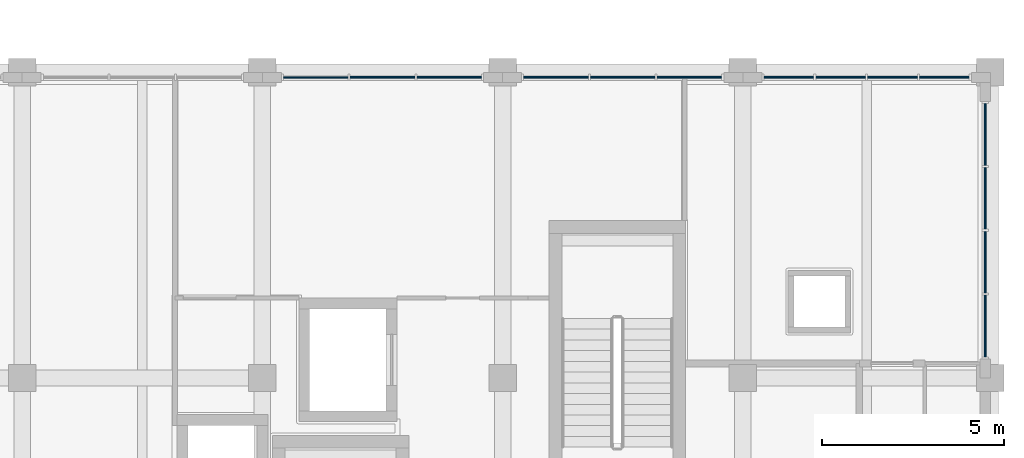
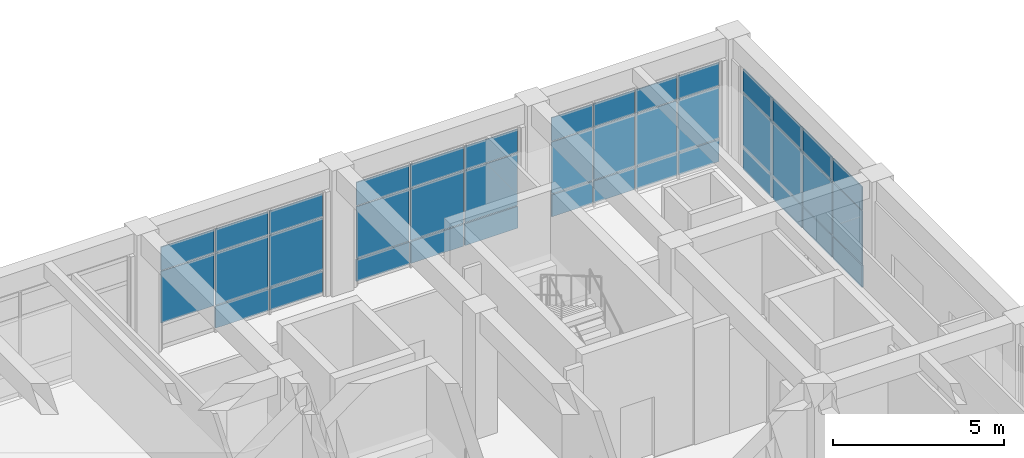
# One storey, part 25 of 50: 41 plates, 4 elements without a shape of their own.
"""IFC4 building model written with IfcOpenShell, lengths in metres."""

import ifcopenshell
import ifcopenshell.guid

model = None  # the IFC model being written
_history = None  # IfcOwnerHistory: only IFC2X3 demands one
_inside = {}  # id of a spatial element -> (the spatial element, [elements in it])
_under = {}  # id of a project, library or spatial element -> (it, [spatial elements below it])
_declared = {}  # id of a project -> (the project, [libraries it declares])
_typed = {}  # id of a type object -> (the type object, [elements of that type])
_made_of = {}  # id of a material, layer set ... -> (it, [elements and type objects made of it])


def new_model(schema):
    """Start an empty IFC model of exactly this schema.

    Asked for "IFC4X3", IfcOpenShell would pick the latest addendum, in which some entities
    have other attributes; the version numbers below select the first issue.
    IFC2X3 requires an IfcOwnerHistory on every rooted entity: one is made here for all.
    """
    global model, _history
    if schema == "IFC4X3":
        model = ifcopenshell.file(schema_version=(4, 3, 0, 0))
    else:
        model = ifcopenshell.file(schema=schema)
    _inside.clear()
    _under.clear()
    _declared.clear()
    _typed.clear()
    _made_of.clear()
    _history = None
    if model.schema == "IFC2X3":
        org = make("IfcOrganization", Name="unknown")
        user = make(
            "IfcPersonAndOrganization",
            ThePerson=make("IfcPerson", FamilyName="unknown"),
            TheOrganization=org,
        )
        app = make(
            "IfcApplication",
            ApplicationDeveloper=org,
            Version="unknown",
            ApplicationFullName="unknown",
            ApplicationIdentifier="unknown",
        )
        _history = make(
            "IfcOwnerHistory",
            OwningUser=user,
            OwningApplication=app,
            ChangeAction="ADDED",
            CreationDate=0,
        )
    return model


def make(cls, **values):
    """One entity of the class cls with the attributes given. An attribute that is None is left unset."""
    return model.create_entity(
        cls, **{name: value for name, value in values.items() if value is not None}
    )


def rooted(cls, **values):
    """An entity with a GlobalId (a new one), such as an element, a storey or a relation."""
    return make(cls, GlobalId=ifcopenshell.guid.new(), OwnerHistory=_history, **values)


def si_unit(unit_type, name, prefix=None):
    """IfcSIUnit, for example si_unit("LENGTHUNIT", "METRE", prefix="MILLI")."""
    return make("IfcSIUnit", UnitType=unit_type, Prefix=prefix, Name=name)


def assignment(units):
    """IfcUnitAssignment: the units of a project."""
    return None if units is None else make("IfcUnitAssignment", Units=units)


def point(xyz):
    """IfcCartesianPoint."""
    return None if xyz is None else make("IfcCartesianPoint", Coordinates=xyz)


def direction(xyz):
    """IfcDirection."""
    return None if xyz is None else make("IfcDirection", DirectionRatios=xyz)


def frame(location, z_axis=None, x_axis=None):
    """IfcAxis2Placement3D, a coordinate frame: its origin and axes. An axis left out is left unset."""
    return make(
        "IfcAxis2Placement3D",
        Location=point(location),
        Axis=direction(z_axis),
        RefDirection=direction(x_axis),
    )


def frame_2d(location, x_axis=None):
    """IfcAxis2Placement2D, a coordinate frame in the plane: its origin and x axis."""
    return make(
        "IfcAxis2Placement2D", Location=point(location), RefDirection=direction(x_axis)
    )


def origin():
    """The frame at (0, 0, 0) with its axes left unset."""
    return frame((0.0, 0.0, 0.0))


def origin_2d():
    """The frame at (0, 0) in the plane with its x axis left unset."""
    return frame_2d((0.0, 0.0))


def place(relative_to, where):
    """IfcLocalPlacement: puts the frame where relative to a parent placement (None: the world)."""
    return make(
        "IfcLocalPlacement", PlacementRelTo=relative_to, RelativePlacement=where
    )


def context(
    kind, dimensions, precision=None, world=None, true_north=None, identifier=None
):
    """IfcGeometricRepresentationContext, for example the 3D "Model" context."""
    return make(
        "IfcGeometricRepresentationContext",
        ContextIdentifier=identifier,
        ContextType=kind,
        CoordinateSpaceDimension=dimensions,
        Precision=precision,
        WorldCoordinateSystem=world,
        TrueNorth=true_north,
    )


def subcontext(parent, identifier, kind, view, scale=None):
    """IfcGeometricRepresentationSubContext, for example "Body" below "Model"."""
    return make(
        "IfcGeometricRepresentationSubContext",
        ContextIdentifier=identifier,
        ContextType=kind,
        ParentContext=parent,
        TargetScale=scale,
        TargetView=view,
    )


def project(units=None, contexts=None):
    """IfcProject with its units and contexts."""
    return rooted(
        "IfcProject",
        Name="project",
        RepresentationContexts=contexts,
        UnitsInContext=assignment(units),
    )


def spatial(cls, under=None, at=None, **own):
    """A site, building, storey or space (cls), placed at a placement, below another one or the project."""
    s = rooted(cls, ObjectPlacement=at, **own)
    if under is not None:
        _under.setdefault(under.id(), (under, []))[1].append(s)
    return s


def profile(cls, at=None, kind="AREA", **sizes):
    """A parametric profile (cls). Its sizes go by their IFC names, for example OverallWidth=200.0."""
    return make(cls, ProfileType=kind, Position=at, **sizes)


def rectangle(**sizes):
    """IfcRectangleProfileDef."""
    return profile("IfcRectangleProfileDef", **sizes)


def extrude(swept, where, along, depth):
    """IfcExtrudedAreaSolid: the profile swept, set in the frame where, extruded along a direction by depth."""
    return make(
        "IfcExtrudedAreaSolid",
        SweptArea=swept,
        Position=where,
        ExtrudedDirection=direction(along),
        Depth=depth,
    )


def shape(context_of_items, identifier, shape_type, items):
    """IfcShapeRepresentation: the items that make up one representation, for example the "Body"."""
    return make(
        "IfcShapeRepresentation",
        ContextOfItems=context_of_items,
        RepresentationIdentifier=identifier,
        RepresentationType=shape_type,
        Items=items,
    )


def material(Name=None, Category=None):
    """IfcMaterial."""
    return make("IfcMaterial", Name=Name, Category=Category)


def layer(
    of_material, thickness, ventilated=None, Name=None, Category=None, Priority=None
):
    """IfcMaterialLayer: one layer of a wall or slab, of a material (None: an air gap)."""
    return make(
        "IfcMaterialLayer",
        Material=of_material,
        LayerThickness=thickness,
        IsVentilated=ventilated,
        Name=Name,
        Category=Category,
        Priority=Priority,
    )


def layer_set(layers, Name=None):
    """IfcMaterialLayerSet."""
    return make("IfcMaterialLayerSet", MaterialLayers=layers, LayerSetName=Name)


def made_of(thing, what):
    """Note that an element or type object is made of a material, layer set ...; save() writes the relation."""
    if what is not None:
        _made_of.setdefault(what.id(), (what, []))[1].append(thing)
    return thing


def type_object(cls, material=None, **own):
    """A type object (cls), such as IfcWallType, which elements share."""
    return made_of(rooted(cls, **own), material)


def element(
    cls,
    number,
    at=None,
    inside=None,
    cuts=None,
    type_object=None,
    material=None,
    context=None,
    identifier="Body",
    shape_type=None,
    held_by="IfcProductDefinitionShape",
    body=None,
    shapes=None,
    **own,
):
    """One element of the class cls, such as IfcWall. Its Tag is "e" and its number.

    at: its placement. inside: the storey or other place that contains it. cuts: it is an
    opening in that element (IfcRelVoidsElement). A single representation is given by context,
    identifier, shape_type and body (its items); several are given by shapes. held_by: the class
    of the entity that holds the representations. save() writes the other relations.
    """
    e = rooted(cls, Tag="e%d" % number, ObjectPlacement=at, **own)
    if body is not None:
        shapes = [shape(context, identifier, shape_type, body)]
    if shapes is not None:
        e.Representation = make(held_by, Representations=shapes)
    if inside is not None:
        _inside.setdefault(inside.id(), (inside, []))[1].append(e)
    if cuts is not None:
        rooted(
            "IfcRelVoidsElement", RelatingBuildingElement=cuts, RelatedOpeningElement=e
        )
    if type_object is not None:
        _typed.setdefault(type_object.id(), (type_object, []))[1].append(e)
    return made_of(e, material)


def aggregate(whole, parts):
    """IfcRelAggregates: a whole, such as a stair, and the parts it consists of."""
    return rooted("IfcRelAggregates", RelatingObject=whole, RelatedObjects=parts)


def save(model, path):
    """Write the relations noted so far, then the file.

    IfcRelAggregates (storeys below a building ...), IfcRelContainedInSpatialStructure (elements
    in a storey), IfcRelDefinesByType, IfcRelAssociatesMaterial and IfcRelDeclares: one each for
    every whole, place, type object, material and project.
    """
    for whole, parts in _under.values():
        aggregate(whole, parts)
    for where, things in _inside.values():
        rooted(
            "IfcRelContainedInSpatialStructure",
            RelatedElements=things,
            RelatingStructure=where,
        )
    for kind, things in _typed.values():
        rooted("IfcRelDefinesByType", RelatedObjects=things, RelatingType=kind)
    for what, things in _made_of.values():
        rooted("IfcRelAssociatesMaterial", RelatedObjects=things, RelatingMaterial=what)
    for by, libraries in _declared.values():
        rooted("IfcRelDeclares", RelatingContext=by, RelatedDefinitions=libraries)
    model.write(path)


model = new_model("IFC4")

# Units and contexts
model_context = context("Model", 3, precision=1e-05, world=origin(), true_north=direction((0.0, 1.0)))
body_context = subcontext(model_context, "Body", "Model", "MODEL_VIEW")
ifc_project = project(units=[si_unit("LENGTHUNIT", "METRE"), si_unit("AREAUNIT", "SQUARE_METRE"), si_unit("VOLUMEUNIT", "CUBIC_METRE"), si_unit("PLANEANGLEUNIT", "RADIAN"), si_unit("MASSUNIT", "GRAM", prefix="KILO")], contexts=[model_context])

# Site, building, storey
site_placement = place(None, origin())
site = spatial("IfcSite", under=ifc_project, at=site_placement, CompositionType="ELEMENT")
building_placement = place(site_placement, origin())
building = spatial("IfcBuilding", under=site, at=building_placement, Name="Kolvaren Faculty of Natural Sciences", CompositionType="ELEMENT")
storey_placement = place(building_placement, frame((0.0, 0.0, 15.0)))
storey = spatial("IfcBuildingStorey", under=building, at=storey_placement, Name="L03", CompositionType="ELEMENT", Elevation=15.0)

# Curtain wall, plates
ifc_material_1 = material(Name="Thermally broken anodised aluminium framing", Category="aluminium")
ifc_layer_1 = layer(ifc_material_1, 0.179931640625)
ifc_layer_set_1 = layer_set([ifc_layer_1], Name="Thermally broken anodised aluminium framing")
curtain_wall_type = type_object("IfcCurtainWallType", Name="TowerNorthCurtainWall_CW03", PredefinedType="NOTDEFINED", material=ifc_layer_set_1)
curtain_wall_1_placement = place(storey_placement, origin())
curtain_wall_1 = element("IfcCurtainWall", 1, at=curtain_wall_1_placement, inside=storey, type_object=curtain_wall_type, Name="L03 unitised curtain wall CW-03 (CW-L03-144)", PredefinedType="NOTDEFINED")
ifc_material_2 = material(Name="Double low-E solar control insulated glazing", Category="glass")
ifc_layer_2 = layer(ifc_material_2, 0.035888671875)
ifc_layer_set_2 = layer_set([ifc_layer_2], Name="Double low-E solar control insulated glazing")
plate_type_1 = type_object("IfcPlateType", Name="EnvelopePlate_CWPGL1", PredefinedType="CURTAIN_PANEL", material=ifc_layer_set_2)
plate_1_placement = place(storey_placement, frame((153.466796875, 84.06005859375, 0.919921875), z_axis=(0.0, 0.0, 1.0), x_axis=(1.0, 0.0, 0.0)))
plate_1 = element("IfcPlate", 2, at=plate_1_placement, type_object=plate_type_1, Name="CW-L03-144 panel 1 V1", PredefinedType="CURTAIN_PANEL", context=body_context, shape_type="SweptSolid", body=[
    extrude(rectangle(XDim=1.783203125, YDim=0.035888671875, at=origin_2d()), origin(), (0.0, 0.0, 1.0), 1.844970703125),
])
plate_2_placement = place(storey_placement, frame((155.300048828125, 84.06005859375, 0.919921875), z_axis=(0.0, 0.0, 1.0), x_axis=(1.0, 0.0, 0.0)))
plate_2 = element("IfcPlate", 3, at=plate_2_placement, type_object=plate_type_1, Name="CW-L03-144 panel 2 V1", PredefinedType="CURTAIN_PANEL", context=body_context, shape_type="SweptSolid", body=[
    extrude(rectangle(XDim=1.783203125, YDim=0.035888671875, at=origin_2d()), origin(), (0.0, 0.0, 1.0), 1.844970703125),
])
plate_3_placement = place(storey_placement, frame((157.13330078125, 84.06005859375, 0.919921875), z_axis=(0.0, 0.0, 1.0), x_axis=(1.0, 0.0, 0.0)))
plate_3 = element("IfcPlate", 4, at=plate_3_placement, type_object=plate_type_1, Name="CW-L03-144 panel 3 V1", PredefinedType="CURTAIN_PANEL", context=body_context, shape_type="SweptSolid", body=[
    extrude(rectangle(XDim=1.783203125, YDim=0.035888671875, at=origin_2d()), origin(), (0.0, 0.0, 1.0), 1.844970703125),
])

curtain_wall_2_placement = place(storey_placement, origin())
curtain_wall_2 = element("IfcCurtainWall", 5, at=curtain_wall_2_placement, inside=storey, type_object=curtain_wall_type, Name="L03 unitised curtain wall CW-03 (CW-L03-145)", PredefinedType="NOTDEFINED")
plate_4_placement = place(storey_placement, frame((160.066650390625, 84.06005859375, 0.919921875), z_axis=(0.0, 0.0, 1.0), x_axis=(1.0, 0.0, 0.0)))
plate_4 = element("IfcPlate", 6, at=plate_4_placement, type_object=plate_type_1, Name="CW-L03-145 panel 1 V1", PredefinedType="CURTAIN_PANEL", context=body_context, shape_type="SweptSolid", body=[
    extrude(rectangle(XDim=1.783203125, YDim=0.035888671875, at=origin_2d()), origin(), (0.0, 0.0, 1.0), 1.844970703125),
])
plate_5_placement = place(storey_placement, frame((161.89990234375, 84.06005859375, 0.919921875), z_axis=(0.0, 0.0, 1.0), x_axis=(1.0, 0.0, 0.0)))
plate_5 = element("IfcPlate", 7, at=plate_5_placement, type_object=plate_type_1, Name="CW-L03-145 panel 2 V1", PredefinedType="CURTAIN_PANEL", context=body_context, shape_type="SweptSolid", body=[
    extrude(rectangle(XDim=1.783203125, YDim=0.035888671875, at=origin_2d()), origin(), (0.0, 0.0, 1.0), 1.844970703125),
])
plate_6_placement = place(storey_placement, frame((163.7333984375, 84.06005859375, 0.919921875), z_axis=(0.0, 0.0, 1.0), x_axis=(1.0, 0.0, 0.0)))
plate_6 = element("IfcPlate", 8, at=plate_6_placement, type_object=plate_type_1, Name="CW-L03-145 panel 3 V1", PredefinedType="CURTAIN_PANEL", context=body_context, shape_type="SweptSolid", body=[
    extrude(rectangle(XDim=1.783203125, YDim=0.035888671875, at=origin_2d()), origin(), (0.0, 0.0, 1.0), 1.844970703125),
])

curtain_wall_3_placement = place(storey_placement, origin())
curtain_wall_3 = element("IfcCurtainWall", 9, at=curtain_wall_3_placement, inside=storey, type_object=curtain_wall_type, Name="L03 unitised curtain wall CW-03 (CW-L03-146)", PredefinedType="NOTDEFINED")
plate_7_placement = place(storey_placement, frame((166.46240234375, 84.06005859375, 0.919921875), z_axis=(0.0, 0.0, 1.0), x_axis=(1.0, 0.0, 0.0)))
plate_7 = element("IfcPlate", 10, at=plate_7_placement, type_object=plate_type_1, Name="CW-L03-146 panel 1 V1", PredefinedType="CURTAIN_PANEL", context=body_context, shape_type="SweptSolid", body=[
    extrude(rectangle(XDim=1.375, YDim=0.035888671875, at=origin_2d()), origin(), (0.0, 0.0, 1.0), 1.844970703125),
])
plate_8_placement = place(storey_placement, frame((167.887451171875, 84.06005859375, 0.919921875), z_axis=(0.0, 0.0, 1.0), x_axis=(1.0, 0.0, 0.0)))
plate_8 = element("IfcPlate", 11, at=plate_8_placement, type_object=plate_type_1, Name="CW-L03-146 panel 2 V1", PredefinedType="CURTAIN_PANEL", context=body_context, shape_type="SweptSolid", body=[
    extrude(rectangle(XDim=1.375, YDim=0.035888671875, at=origin_2d()), origin(), (0.0, 0.0, 1.0), 1.844970703125),
])
plate_9_placement = place(storey_placement, frame((169.3125, 84.06005859375, 0.919921875), z_axis=(0.0, 0.0, 1.0), x_axis=(1.0, 0.0, 0.0)))
plate_9 = element("IfcPlate", 12, at=plate_9_placement, type_object=plate_type_1, Name="CW-L03-146 panel 3 V1", PredefinedType="CURTAIN_PANEL", context=body_context, shape_type="SweptSolid", body=[
    extrude(rectangle(XDim=1.375, YDim=0.035888671875, at=origin_2d()), origin(), (0.0, 0.0, 1.0), 1.844970703125),
])
plate_10_placement = place(storey_placement, frame((170.737548828125, 84.06005859375, 0.919921875), z_axis=(0.0, 0.0, 1.0), x_axis=(1.0, 0.0, 0.0)))
plate_10 = element("IfcPlate", 13, at=plate_10_placement, type_object=plate_type_1, Name="CW-L03-146 panel 4 V1", PredefinedType="CURTAIN_PANEL", context=body_context, shape_type="SweptSolid", body=[
    extrude(rectangle(XDim=1.375, YDim=0.035888671875, at=origin_2d()), origin(), (0.0, 0.0, 1.0), 1.844970703125),
])

curtain_wall_4_placement = place(storey_placement, origin())
curtain_wall_4 = element("IfcCurtainWall", 14, at=curtain_wall_4_placement, inside=storey, type_object=curtain_wall_type, Name="L03 unitised curtain wall CW-03 (CW-L03-147)", PredefinedType="NOTDEFINED")
plate_11_placement = place(storey_placement, frame((171.860107421875, 82.492431640625, 0.919921875), z_axis=(0.0, 0.0, 1.0), x_axis=(0.0, -1.0, 0.0)))
plate_11 = element("IfcPlate", 15, at=plate_11_placement, type_object=plate_type_1, Name="CW-L03-147 panel 1 V1", PredefinedType="CURTAIN_PANEL", context=body_context, shape_type="SweptSolid", body=[
    extrude(rectangle(XDim=1.705078125, YDim=0.035888671875, at=origin_2d()), origin(), (0.0, 0.0, 1.0), 1.89501953125),
])
plate_12_placement = place(storey_placement, frame((171.860107421875, 80.737548828125, 0.919921875), z_axis=(0.0, 0.0, 1.0), x_axis=(0.0, -1.0, 0.0)))
plate_12 = element("IfcPlate", 16, at=plate_12_placement, type_object=plate_type_1, Name="CW-L03-147 panel 2 V1", PredefinedType="CURTAIN_PANEL", context=body_context, shape_type="SweptSolid", body=[
    extrude(rectangle(XDim=1.705078125, YDim=0.035888671875, at=origin_2d()), origin(), (0.0, 0.0, 1.0), 1.89501953125),
])
plate_13_placement = place(storey_placement, frame((171.860107421875, 78.982421875, 0.919921875), z_axis=(0.0, 0.0, 1.0), x_axis=(0.0, -1.0, 0.0)))
plate_13 = element("IfcPlate", 17, at=plate_13_placement, type_object=plate_type_1, Name="CW-L03-147 panel 3 V1", PredefinedType="CURTAIN_PANEL", context=body_context, shape_type="SweptSolid", body=[
    extrude(rectangle(XDim=1.705078125, YDim=0.035888671875, at=origin_2d()), origin(), (0.0, 0.0, 1.0), 1.89501953125),
])
plate_14_placement = place(storey_placement, frame((171.860107421875, 77.2275390625, 0.919921875), z_axis=(0.0, 0.0, 1.0), x_axis=(0.0, -1.0, 0.0)))
plate_14 = element("IfcPlate", 18, at=plate_14_placement, type_object=plate_type_1, Name="CW-L03-147 panel 4 V1", PredefinedType="CURTAIN_PANEL", context=body_context, shape_type="SweptSolid", body=[
    extrude(rectangle(XDim=1.705078125, YDim=0.035888671875, at=origin_2d()), origin(), (0.0, 0.0, 1.0), 1.89501953125),
])

# Plate
ifc_layer_3 = layer(ifc_material_2, 0.035888671875)
ifc_layer_set_3 = layer_set([ifc_layer_3], Name="Double low-E solar control insulated glazing")
plate_type_2 = type_object("IfcPlateType", Name="EnvelopePlate_CWPGL2", PredefinedType="CURTAIN_PANEL", material=ifc_layer_set_3)
plate_15_placement = place(storey_placement, frame((153.466796875, 84.06005859375, 2.804931640625), z_axis=(0.0, 0.0, 1.0), x_axis=(1.0, 0.0, 0.0)))
plate_15 = element("IfcPlate", 19, at=plate_15_placement, type_object=plate_type_2, Name="CW-L03-144 panel 1 V2", PredefinedType="CURTAIN_PANEL", context=body_context, shape_type="SweptSolid", body=[
    extrude(rectangle(XDim=1.783203125, YDim=0.035888671875, at=origin_2d()), origin(), (0.0, 0.0, 1.0), 0.830078125),
])

plate_16_placement = place(storey_placement, frame((155.300048828125, 84.06005859375, 2.804931640625), z_axis=(0.0, 0.0, 1.0), x_axis=(1.0, 0.0, 0.0)))
plate_16 = element("IfcPlate", 20, at=plate_16_placement, type_object=plate_type_2, Name="CW-L03-144 panel 2 V2", PredefinedType="CURTAIN_PANEL", context=body_context, shape_type="SweptSolid", body=[
    extrude(rectangle(XDim=1.783203125, YDim=0.035888671875, at=origin_2d()), origin(), (0.0, 0.0, 1.0), 0.830078125),
])

plate_17_placement = place(storey_placement, frame((157.13330078125, 84.06005859375, 2.804931640625), z_axis=(0.0, 0.0, 1.0), x_axis=(1.0, 0.0, 0.0)))
plate_17 = element("IfcPlate", 21, at=plate_17_placement, type_object=plate_type_2, Name="CW-L03-144 panel 3 V2", PredefinedType="CURTAIN_PANEL", context=body_context, shape_type="SweptSolid", body=[
    extrude(rectangle(XDim=1.783203125, YDim=0.035888671875, at=origin_2d()), origin(), (0.0, 0.0, 1.0), 0.830078125),
])

plate_18_placement = place(storey_placement, frame((160.066650390625, 84.06005859375, 2.804931640625), z_axis=(0.0, 0.0, 1.0), x_axis=(1.0, 0.0, 0.0)))
plate_18 = element("IfcPlate", 22, at=plate_18_placement, type_object=plate_type_2, Name="CW-L03-145 panel 1 V2", PredefinedType="CURTAIN_PANEL", context=body_context, shape_type="SweptSolid", body=[
    extrude(rectangle(XDim=1.783203125, YDim=0.035888671875, at=origin_2d()), origin(), (0.0, 0.0, 1.0), 0.830078125),
])

plate_19_placement = place(storey_placement, frame((161.89990234375, 84.06005859375, 2.804931640625), z_axis=(0.0, 0.0, 1.0), x_axis=(1.0, 0.0, 0.0)))
plate_19 = element("IfcPlate", 23, at=plate_19_placement, type_object=plate_type_2, Name="CW-L03-145 panel 2 V2", PredefinedType="CURTAIN_PANEL", context=body_context, shape_type="SweptSolid", body=[
    extrude(rectangle(XDim=1.783203125, YDim=0.035888671875, at=origin_2d()), origin(), (0.0, 0.0, 1.0), 0.830078125),
])

plate_20_placement = place(storey_placement, frame((163.7333984375, 84.06005859375, 2.804931640625), z_axis=(0.0, 0.0, 1.0), x_axis=(1.0, 0.0, 0.0)))
plate_20 = element("IfcPlate", 24, at=plate_20_placement, type_object=plate_type_2, Name="CW-L03-145 panel 3 V2", PredefinedType="CURTAIN_PANEL", context=body_context, shape_type="SweptSolid", body=[
    extrude(rectangle(XDim=1.783203125, YDim=0.035888671875, at=origin_2d()), origin(), (0.0, 0.0, 1.0), 0.830078125),
])

plate_21_placement = place(storey_placement, frame((166.46240234375, 84.06005859375, 2.804931640625), z_axis=(0.0, 0.0, 1.0), x_axis=(1.0, 0.0, 0.0)))
plate_21 = element("IfcPlate", 25, at=plate_21_placement, type_object=plate_type_2, Name="CW-L03-146 panel 1 V2", PredefinedType="CURTAIN_PANEL", context=body_context, shape_type="SweptSolid", body=[
    extrude(rectangle(XDim=1.375, YDim=0.035888671875, at=origin_2d()), origin(), (0.0, 0.0, 1.0), 0.830078125),
])

plate_22_placement = place(storey_placement, frame((167.887451171875, 84.06005859375, 2.804931640625), z_axis=(0.0, 0.0, 1.0), x_axis=(1.0, 0.0, 0.0)))
plate_22 = element("IfcPlate", 26, at=plate_22_placement, type_object=plate_type_2, Name="CW-L03-146 panel 2 V2", PredefinedType="CURTAIN_PANEL", context=body_context, shape_type="SweptSolid", body=[
    extrude(rectangle(XDim=1.375, YDim=0.035888671875, at=origin_2d()), origin(), (0.0, 0.0, 1.0), 0.830078125),
])

plate_23_placement = place(storey_placement, frame((169.3125, 84.06005859375, 2.804931640625), z_axis=(0.0, 0.0, 1.0), x_axis=(1.0, 0.0, 0.0)))
plate_23 = element("IfcPlate", 27, at=plate_23_placement, type_object=plate_type_2, Name="CW-L03-146 panel 3 V2", PredefinedType="CURTAIN_PANEL", context=body_context, shape_type="SweptSolid", body=[
    extrude(rectangle(XDim=1.375, YDim=0.035888671875, at=origin_2d()), origin(), (0.0, 0.0, 1.0), 0.830078125),
])

plate_24_placement = place(storey_placement, frame((170.737548828125, 84.06005859375, 2.804931640625), z_axis=(0.0, 0.0, 1.0), x_axis=(1.0, 0.0, 0.0)))
plate_24 = element("IfcPlate", 28, at=plate_24_placement, type_object=plate_type_2, Name="CW-L03-146 panel 4 V2", PredefinedType="CURTAIN_PANEL", context=body_context, shape_type="SweptSolid", body=[
    extrude(rectangle(XDim=1.375, YDim=0.035888671875, at=origin_2d()), origin(), (0.0, 0.0, 1.0), 0.830078125),
])

plate_25_placement = place(storey_placement, frame((171.860107421875, 82.492431640625, 2.85498046875), z_axis=(0.0, 0.0, 1.0), x_axis=(0.0, -1.0, 0.0)))
plate_25 = element("IfcPlate", 29, at=plate_25_placement, type_object=plate_type_2, Name="CW-L03-147 panel 1 V2", PredefinedType="CURTAIN_PANEL", context=body_context, shape_type="SweptSolid", body=[
    extrude(rectangle(XDim=1.705078125, YDim=0.035888671875, at=origin_2d()), origin(), (0.0, 0.0, 1.0), 0.830078125),
])

plate_26_placement = place(storey_placement, frame((171.860107421875, 80.737548828125, 2.85498046875), z_axis=(0.0, 0.0, 1.0), x_axis=(0.0, -1.0, 0.0)))
plate_26 = element("IfcPlate", 30, at=plate_26_placement, type_object=plate_type_2, Name="CW-L03-147 panel 2 V2", PredefinedType="CURTAIN_PANEL", context=body_context, shape_type="SweptSolid", body=[
    extrude(rectangle(XDim=1.705078125, YDim=0.035888671875, at=origin_2d()), origin(), (0.0, 0.0, 1.0), 0.830078125),
])

plate_27_placement = place(storey_placement, frame((171.860107421875, 78.982421875, 2.85498046875), z_axis=(0.0, 0.0, 1.0), x_axis=(0.0, -1.0, 0.0)))
plate_27 = element("IfcPlate", 31, at=plate_27_placement, type_object=plate_type_2, Name="CW-L03-147 panel 3 V2", PredefinedType="CURTAIN_PANEL", context=body_context, shape_type="SweptSolid", body=[
    extrude(rectangle(XDim=1.705078125, YDim=0.035888671875, at=origin_2d()), origin(), (0.0, 0.0, 1.0), 0.830078125),
])

plate_28_placement = place(storey_placement, frame((171.860107421875, 77.2275390625, 2.85498046875), z_axis=(0.0, 0.0, 1.0), x_axis=(0.0, -1.0, 0.0)))
plate_28 = element("IfcPlate", 32, at=plate_28_placement, type_object=plate_type_2, Name="CW-L03-147 panel 4 V2", PredefinedType="CURTAIN_PANEL", context=body_context, shape_type="SweptSolid", body=[
    extrude(rectangle(XDim=1.705078125, YDim=0.035888671875, at=origin_2d()), origin(), (0.0, 0.0, 1.0), 0.830078125),
])

ifc_material_3 = material(Name="Insulated anodised aluminium spandrel panel", Category="aluminium")
ifc_layer_4 = layer(ifc_material_3, 0.050048828125)
ifc_layer_set_4 = layer_set([ifc_layer_4], Name="Insulated anodised aluminium spandrel panel")
plate_type_3 = type_object("IfcPlateType", Name="EnvelopePlate_CWPSP1", PredefinedType="SHEET", material=ifc_layer_set_4)
plate_29_placement = place(storey_placement, frame((155.300048828125, 84.06005859375, 0.10009765625), z_axis=(0.0, 0.0, 1.0), x_axis=(1.0, 0.0, 0.0)))
plate_29 = element("IfcPlate", 33, at=plate_29_placement, type_object=plate_type_3, Name="CW-L03-144 panel 2 SP", PredefinedType="SHEET", context=body_context, shape_type="SweptSolid", body=[
    extrude(rectangle(XDim=1.783203125, YDim=0.050048828125, at=origin_2d()), origin(), (0.0, 0.0, 1.0), 0.780029296875),
])

plate_30_placement = place(storey_placement, frame((157.13330078125, 84.06005859375, 0.10009765625), z_axis=(0.0, 0.0, 1.0), x_axis=(1.0, 0.0, 0.0)))
plate_30 = element("IfcPlate", 34, at=plate_30_placement, type_object=plate_type_3, Name="CW-L03-144 panel 3 SP", PredefinedType="SHEET", context=body_context, shape_type="SweptSolid", body=[
    extrude(rectangle(XDim=1.783203125, YDim=0.050048828125, at=origin_2d()), origin(), (0.0, 0.0, 1.0), 0.780029296875),
])

aggregate(curtain_wall_1, [plate_1, plate_15, plate_29, plate_2, plate_16, plate_30, plate_3, plate_17])

plate_31_placement = place(storey_placement, frame((160.066650390625, 84.06005859375, 0.10009765625), z_axis=(0.0, 0.0, 1.0), x_axis=(1.0, 0.0, 0.0)))
plate_31 = element("IfcPlate", 35, at=plate_31_placement, type_object=plate_type_3, Name="CW-L03-145 panel 1 SP", PredefinedType="SHEET", context=body_context, shape_type="SweptSolid", body=[
    extrude(rectangle(XDim=1.783203125, YDim=0.050048828125, at=origin_2d()), origin(), (0.0, 0.0, 1.0), 0.780029296875),
])

plate_32_placement = place(storey_placement, frame((161.89990234375, 84.06005859375, 0.10009765625), z_axis=(0.0, 0.0, 1.0), x_axis=(1.0, 0.0, 0.0)))
plate_32 = element("IfcPlate", 36, at=plate_32_placement, type_object=plate_type_3, Name="CW-L03-145 panel 2 SP", PredefinedType="SHEET", context=body_context, shape_type="SweptSolid", body=[
    extrude(rectangle(XDim=1.783203125, YDim=0.050048828125, at=origin_2d()), origin(), (0.0, 0.0, 1.0), 0.780029296875),
])

plate_33_placement = place(storey_placement, frame((163.7333984375, 84.06005859375, 0.10009765625), z_axis=(0.0, 0.0, 1.0), x_axis=(1.0, 0.0, 0.0)))
plate_33 = element("IfcPlate", 37, at=plate_33_placement, type_object=plate_type_3, Name="CW-L03-145 panel 3 SP", PredefinedType="SHEET", context=body_context, shape_type="SweptSolid", body=[
    extrude(rectangle(XDim=1.783203125, YDim=0.050048828125, at=origin_2d()), origin(), (0.0, 0.0, 1.0), 0.780029296875),
])

aggregate(curtain_wall_2, [plate_31, plate_4, plate_18, plate_32, plate_5, plate_19, plate_33, plate_6, plate_20])

plate_34_placement = place(storey_placement, frame((166.46240234375, 84.06005859375, 0.10009765625), z_axis=(0.0, 0.0, 1.0), x_axis=(1.0, 0.0, 0.0)))
plate_34 = element("IfcPlate", 38, at=plate_34_placement, type_object=plate_type_3, Name="CW-L03-146 panel 1 SP", PredefinedType="SHEET", context=body_context, shape_type="SweptSolid", body=[
    extrude(rectangle(XDim=1.375, YDim=0.050048828125, at=origin_2d()), origin(), (0.0, 0.0, 1.0), 0.780029296875),
])

plate_35_placement = place(storey_placement, frame((167.887451171875, 84.06005859375, 0.10009765625), z_axis=(0.0, 0.0, 1.0), x_axis=(1.0, 0.0, 0.0)))
plate_35 = element("IfcPlate", 39, at=plate_35_placement, type_object=plate_type_3, Name="CW-L03-146 panel 2 SP", PredefinedType="SHEET", context=body_context, shape_type="SweptSolid", body=[
    extrude(rectangle(XDim=1.375, YDim=0.050048828125, at=origin_2d()), origin(), (0.0, 0.0, 1.0), 0.780029296875),
])

plate_36_placement = place(storey_placement, frame((169.3125, 84.06005859375, 0.10009765625), z_axis=(0.0, 0.0, 1.0), x_axis=(1.0, 0.0, 0.0)))
plate_36 = element("IfcPlate", 40, at=plate_36_placement, type_object=plate_type_3, Name="CW-L03-146 panel 3 SP", PredefinedType="SHEET", context=body_context, shape_type="SweptSolid", body=[
    extrude(rectangle(XDim=1.375, YDim=0.050048828125, at=origin_2d()), origin(), (0.0, 0.0, 1.0), 0.780029296875),
])

plate_37_placement = place(storey_placement, frame((170.737548828125, 84.06005859375, 0.10009765625), z_axis=(0.0, 0.0, 1.0), x_axis=(1.0, 0.0, 0.0)))
plate_37 = element("IfcPlate", 41, at=plate_37_placement, type_object=plate_type_3, Name="CW-L03-146 panel 4 SP", PredefinedType="SHEET", context=body_context, shape_type="SweptSolid", body=[
    extrude(rectangle(XDim=1.375, YDim=0.050048828125, at=origin_2d()), origin(), (0.0, 0.0, 1.0), 0.780029296875),
])

aggregate(curtain_wall_3, [plate_34, plate_7, plate_21, plate_35, plate_8, plate_22, plate_36, plate_9, plate_23, plate_37, plate_10, plate_24])

plate_38_placement = place(storey_placement, frame((171.860107421875, 82.492431640625, 0.10009765625), z_axis=(0.0, 0.0, 1.0), x_axis=(0.0, -1.0, 0.0)))
plate_38 = element("IfcPlate", 42, at=plate_38_placement, type_object=plate_type_3, Name="CW-L03-147 panel 1 SP", PredefinedType="SHEET", context=body_context, shape_type="SweptSolid", body=[
    extrude(rectangle(XDim=1.705078125, YDim=0.050048828125, at=origin_2d()), origin(), (0.0, 0.0, 1.0), 0.780029296875),
])

plate_39_placement = place(storey_placement, frame((171.860107421875, 80.737548828125, 0.10009765625), z_axis=(0.0, 0.0, 1.0), x_axis=(0.0, -1.0, 0.0)))
plate_39 = element("IfcPlate", 43, at=plate_39_placement, type_object=plate_type_3, Name="CW-L03-147 panel 2 SP", PredefinedType="SHEET", context=body_context, shape_type="SweptSolid", body=[
    extrude(rectangle(XDim=1.705078125, YDim=0.050048828125, at=origin_2d()), origin(), (0.0, 0.0, 1.0), 0.780029296875),
])

plate_40_placement = place(storey_placement, frame((171.860107421875, 78.982421875, 0.10009765625), z_axis=(0.0, 0.0, 1.0), x_axis=(0.0, -1.0, 0.0)))
plate_40 = element("IfcPlate", 44, at=plate_40_placement, type_object=plate_type_3, Name="CW-L03-147 panel 3 SP", PredefinedType="SHEET", context=body_context, shape_type="SweptSolid", body=[
    extrude(rectangle(XDim=1.705078125, YDim=0.050048828125, at=origin_2d()), origin(), (0.0, 0.0, 1.0), 0.780029296875),
])

plate_41_placement = place(storey_placement, frame((171.860107421875, 77.2275390625, 0.10009765625), z_axis=(0.0, 0.0, 1.0), x_axis=(0.0, -1.0, 0.0)))
plate_41 = element("IfcPlate", 45, at=plate_41_placement, type_object=plate_type_3, Name="CW-L03-147 panel 4 SP", PredefinedType="SHEET", context=body_context, shape_type="SweptSolid", body=[
    extrude(rectangle(XDim=1.705078125, YDim=0.050048828125, at=origin_2d()), origin(), (0.0, 0.0, 1.0), 0.780029296875),
])

aggregate(curtain_wall_4, [plate_38, plate_11, plate_25, plate_39, plate_12, plate_26, plate_40, plate_13, plate_27, plate_41, plate_14, plate_28])

save(model, "model.ifc")
